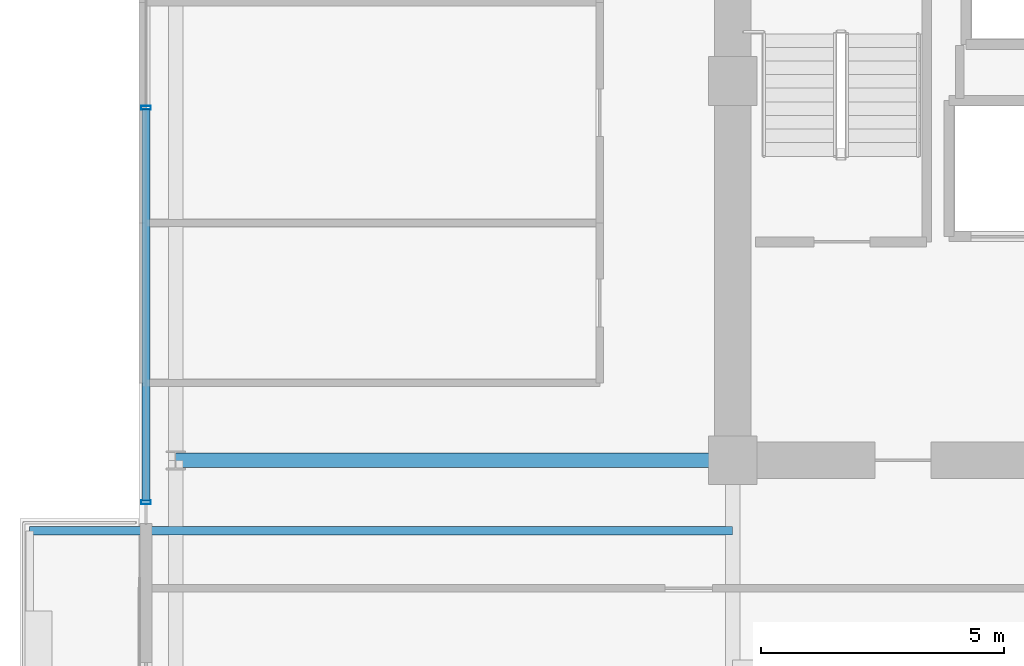
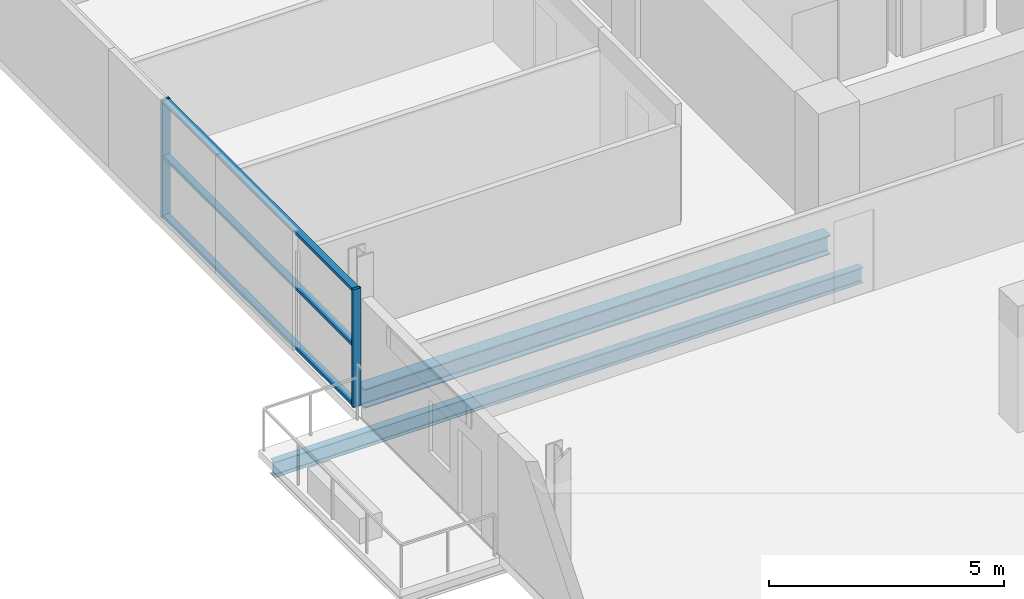
# One storey, part 4 of 21: 5 members, 2 beams, 1 element without a shape of its own.
"""IFC4 building model written with IfcOpenShell, lengths in metres."""

from ifc_helpers import new_model, si_unit, direction, frame, origin, origin_2d, place, context, subcontext, project, spatial, hollow_rectangle, i_section, extrude, source, transform, mapped, material, layer, layer_set, material_profile, profile_set, type_object, element, aggregate, save


model = new_model("IFC4")

# Units and contexts
model_context = context("Model", 3, precision=1e-05, world=origin(), true_north=direction((0.0, 1.0)))
body_context = subcontext(model_context, "Body", "Model", "MODEL_VIEW")
ifc_project = project(units=[si_unit("LENGTHUNIT", "METRE"), si_unit("AREAUNIT", "SQUARE_METRE"), si_unit("VOLUMEUNIT", "CUBIC_METRE"), si_unit("PLANEANGLEUNIT", "RADIAN"), si_unit("MASSUNIT", "GRAM", prefix="KILO")], contexts=[model_context])

# Site, building, storey
site_placement = place(None, origin())
site = spatial("IfcSite", under=ifc_project, at=site_placement, CompositionType="ELEMENT")
building_placement = place(site_placement, origin())
building = spatial("IfcBuilding", under=site, at=building_placement, Name="Zarnakvel Exchange Tower", CompositionType="ELEMENT")
storey_placement = place(building_placement, frame((0.0, 0.0, 159.39990234375)))
storey = spatial("IfcBuildingStorey", under=building, at=storey_placement, Name="L44", CompositionType="ELEMENT", Elevation=159.39990234375)

# Beams
ifc_material_1 = material(Name="Steel S355", Category="steel")
ifc_material_profile_1 = material_profile(ifc_material_1, i_section(OverallWidth=0.179931640625, OverallDepth=0.39990234375, WebThickness=0.008544921875, FlangeThickness=0.013427734375, FilletRadius=0.02099609375, at=origin_2d()))
ifc_profile_set_1 = profile_set([ifc_material_profile_1], Name="Steel S355")
beam_type_1 = type_object("IfcBeamType", Name="B-06", PredefinedType="JOIST", material=ifc_profile_set_1)
beam_1_placement = place(storey_placement, frame((-14.39990234375, -2.64990234375, -0.4248046875), z_axis=(-1.0, 0.0, 0.0), x_axis=(0.0, -1.0, 0.0)))
element("IfcBeam", 1, at=beam_1_placement, inside=storey, type_object=beam_type_1, Name="L44 Continuous West Loggia Beam N", PredefinedType="JOIST", context=body_context, shape_type="SweptSolid", body=[
    extrude(i_section(OverallWidth=0.179931640625, OverallDepth=0.39990234375, WebThickness=0.008544921875, FlangeThickness=0.013427734375, FilletRadius=0.02099609375, at=origin_2d()), origin(), (0.0, 0.0, 1.0), 14.4501953125),
])
ifc_material_profile_2 = material_profile(ifc_material_1, i_section(OverallWidth=0.300048828125, OverallDepth=0.5, WebThickness=0.014404296875, FlangeThickness=0.028076171875, FilletRadius=0.027099609375, at=origin_2d()))
ifc_profile_set_2 = profile_set([ifc_material_profile_2], Name="Steel S355")
beam_type_2 = type_object("IfcBeamType", Name="G-06", PredefinedType="BEAM", material=ifc_profile_set_2)
beam_2_placement = place(storey_placement, frame((-25.85009765625, -1.199951171875, -0.474853515625), z_axis=(1.0, 0.0, 0.0), x_axis=(0.0, 1.0, 0.0)))
element("IfcBeam", 2, at=beam_2_placement, inside=storey, type_object=beam_type_2, Name="L44 Tower E-W Frame Beam", PredefinedType="BEAM", context=body_context, shape_type="SweptSolid", body=[
    extrude(i_section(OverallWidth=0.300048828125, OverallDepth=0.5, WebThickness=0.014404296875, FlangeThickness=0.028076171875, FilletRadius=0.027099609375, at=origin_2d()), origin(), (0.0, 0.0, 1.0), 11.4501953125),
])

# Curtain wall, members
ifc_material_2 = material(Name="Architectural Bronze Anodised Aluminium", Category="aluminium")
ifc_layer = layer(ifc_material_2, 0.199951171875)
ifc_layer_set = layer_set([ifc_layer], Name="Architectural Bronze Anodised Aluminium")
curtain_wall_type = type_object("IfcCurtainWallType", Name="CW-04", PredefinedType="NOTDEFINED", material=ifc_layer_set)
curtain_wall_placement = place(storey_placement, origin())
curtain_wall = element("IfcCurtainWall", 3, at=curtain_wall_placement, inside=storey, type_object=curtain_wall_type, Name="L44 Curtain Wall CW-L44-WN (CW-04)", PredefinedType="NOTDEFINED")
ifc_material_profile_3 = material_profile(ifc_material_2, hollow_rectangle(XDim=0.199951171875, YDim=0.074951171875, WallThickness=0.0048828125, at=origin_2d()))
ifc_profile_set_3 = profile_set([ifc_material_profile_3], Name="Architectural Bronze Anodised Aluminium")
member_type_1 = type_object("IfcMemberType", Name="CWM-04", PredefinedType="MULLION", material=ifc_profile_set_3)
shared_shape_1 = source(origin(), body_context, "Body", "SweptSolid", [
    extrude(hollow_rectangle(XDim=0.199951171875, YDim=0.074951171875, WallThickness=0.0048828125, at=origin_2d()), origin(), (0.0, 0.0, 1.0), 3.05517578125),
])
member_1_placement = place(storey_placement, frame((-26.4599609375, -2.0625, 0.0), z_axis=(0.0, 0.0, 1.0), x_axis=(-1.0, 0.0, 0.0)))
member_1 = element("IfcMember", 4, at=member_1_placement, type_object=member_type_1, Name="CW-04 mullion 1", PredefinedType="MULLION", context=body_context, shape_type="MappedRepresentation", body=[
    mapped(shared_shape_1, transform((0.0, 0.0, 0.0), x_axis=(1.0, 0.0, 0.0), y_axis=(0.0, 1.0, 0.0), z_axis=(0.0, 0.0, 1.0), scale=1.0)),
])
member_2_placement = place(storey_placement, frame((-26.4599609375, 6.050048828125, 0.0), z_axis=(0.0, 0.0, 1.0), x_axis=(-1.0, 0.0, 0.0)))
member_2 = element("IfcMember", 5, at=member_2_placement, type_object=member_type_1, Name="CW-04 mullion 2", PredefinedType="MULLION", context=body_context, shape_type="MappedRepresentation", body=[
    mapped(shared_shape_1, transform((0.0, 0.0, 0.0), x_axis=(1.0, 0.0, 0.0), y_axis=(0.0, 1.0, 0.0), z_axis=(0.0, 0.0, 1.0), scale=1.0)),
])
ifc_material_profile_4 = material_profile(ifc_material_2, hollow_rectangle(XDim=0.159912109375, YDim=0.074951171875, WallThickness=0.00390625, at=origin_2d()))
ifc_profile_set_4 = profile_set([ifc_material_profile_4], Name="Architectural Bronze Anodised Aluminium")
member_type_2 = type_object("IfcMemberType", Name="CWT-04", PredefinedType="USERDEFINED", material=ifc_profile_set_4)
shared_shape_2 = source(origin(), body_context, "Body", "SweptSolid", [
    extrude(hollow_rectangle(XDim=0.159912109375, YDim=0.074951171875, WallThickness=0.00390625, at=origin_2d()), origin(), (0.0, 0.0, 1.0), 8.037353515625),
])
member_3_placement = place(storey_placement, frame((-26.4599609375, -2.02490234375, 0.03759765625), z_axis=(0.0, 1.0, 0.0), x_axis=(-1.0, 0.0, 0.0)))
member_3 = element("IfcMember", 6, at=member_3_placement, type_object=member_type_2, Name="CW-04 transom 1.1", ObjectType="TRANSOM", PredefinedType="USERDEFINED", context=body_context, shape_type="MappedRepresentation", body=[
    mapped(shared_shape_2, transform((0.0, 0.0, 0.0), x_axis=(1.0, 0.0, 0.0), y_axis=(0.0, 1.0, 0.0), z_axis=(0.0, 0.0, 1.0), scale=1.0)),
])
member_4_placement = place(storey_placement, frame((-26.4599609375, -2.02490234375, 1.588623046875), z_axis=(0.0, 1.0, 0.0), x_axis=(-1.0, 0.0, 0.0)))
member_4 = element("IfcMember", 7, at=member_4_placement, type_object=member_type_2, Name="CW-04 transom 1.2", ObjectType="TRANSOM", PredefinedType="USERDEFINED", context=body_context, shape_type="MappedRepresentation", body=[
    mapped(shared_shape_2, transform((0.0, 0.0, 0.0), x_axis=(1.0, 0.0, 0.0), y_axis=(0.0, 1.0, 0.0), z_axis=(0.0, 0.0, 1.0), scale=1.0)),
])
member_5_placement = place(storey_placement, frame((-26.4599609375, -2.02490234375, 3.017578125), z_axis=(0.0, 1.0, 0.0), x_axis=(-1.0, 0.0, 0.0)))
member_5 = element("IfcMember", 8, at=member_5_placement, type_object=member_type_2, Name="CW-04 transom 1.3", ObjectType="TRANSOM", PredefinedType="USERDEFINED", context=body_context, shape_type="MappedRepresentation", body=[
    mapped(shared_shape_2, transform((0.0, 0.0, 0.0), x_axis=(1.0, 0.0, 0.0), y_axis=(0.0, 1.0, 0.0), z_axis=(0.0, 0.0, 1.0), scale=1.0)),
])
aggregate(curtain_wall, [member_1, member_2, member_3, member_4, member_5])

save(model, "model.ifc")
